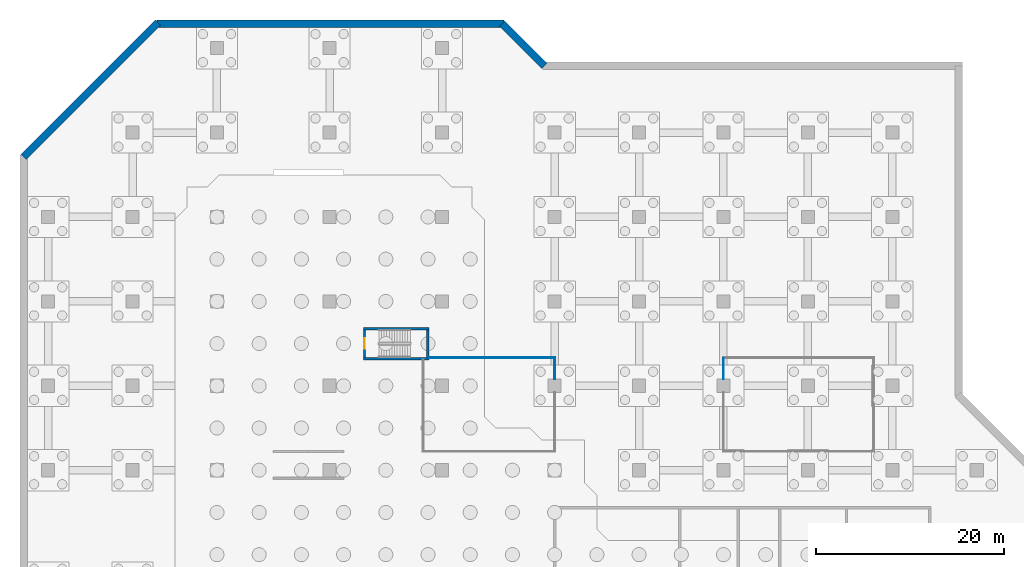
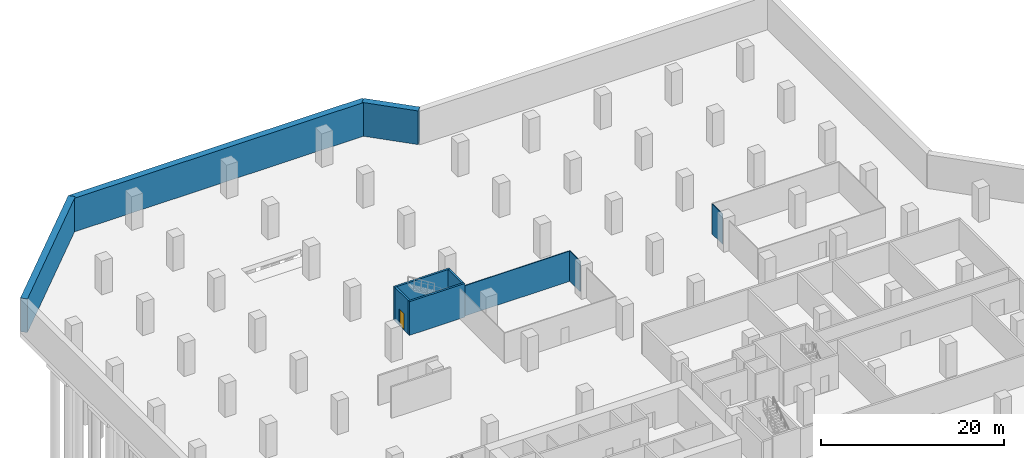
# One storey, part 10 of 13: 10 walls, 1 door, 1 opening.
"""IFC4 building model written with IfcOpenShell, lengths in metres."""

from ifc_helpers import new_model, si_unit, direction, frame, frame_2d, origin, place, context, subcontext, project, spatial, rectangle, extrude, material, layer, layer_set, type_object, element, fill, save


model = new_model("IFC4")

# Units and contexts
model_context = context("Model", 3, precision=1e-05, world=origin(), true_north=direction((0.0, 1.0)))
body_context = subcontext(model_context, "Body", "Model", "MODEL_VIEW")
ifc_project = project(units=[si_unit("LENGTHUNIT", "METRE"), si_unit("AREAUNIT", "SQUARE_METRE"), si_unit("VOLUMEUNIT", "CUBIC_METRE"), si_unit("PLANEANGLEUNIT", "RADIAN"), si_unit("MASSUNIT", "GRAM", prefix="KILO")], contexts=[model_context])

# Site, building, storey
site_placement = place(None, origin())
site = spatial("IfcSite", under=ifc_project, at=site_placement, CompositionType="ELEMENT")
building_placement = place(site_placement, origin())
building = spatial("IfcBuilding", under=site, at=building_placement, Name="Chenar Terraces", CompositionType="ELEMENT")
storey_placement = place(building_placement, frame((0.0, 0.0, -13.5)))
storey = spatial("IfcBuildingStorey", under=building, at=storey_placement, Name="B3", CompositionType="ELEMENT", Elevation=-13.5)

# Walls
ifc_material_1 = material(Name="Concrete C70/85", Category="concrete")
ifc_layer_1 = layer(ifc_material_1, 0.25)
ifc_layer_set_1 = layer_set([ifc_layer_1], Name="Concrete C70/85")
wall_type_1 = type_object("IfcWallType", Name="Core wall 250 Concrete C70/85", PredefinedType="SHEAR", material=ifc_layer_set_1)
for number, where, z_axis, x_axis, name in (
    (1, (15.60009765625, 47.89990234375, 0.0), (0.0, 0.0, 1.0), (1.0, 0.0, 0.0), "Core wall ST4_S B3"),
    (2, (15.60009765625, 51.10009765625, 0.0), (0.0, 0.0, 1.0), (1.0, 0.0, 0.0), "Core wall ST4_N B3"),
):
    element("IfcWall", number, at=place(storey_placement, frame(where, z_axis=z_axis, x_axis=x_axis)), inside=storey, type_object=wall_type_1, Name=name, PredefinedType="SHEAR", context=body_context, shape_type="SweptSolid", body=[
        extrude(rectangle(XDim=7.0, YDim=0.25, at=frame_2d((3.5, 0.0))), origin(), (0.0, 0.0, 1.0), 4.5),
    ])

# Wall, opening, door
wall_1_placement = place(storey_placement, frame((15.72509765625, 48.02490234375, 0.0), z_axis=(0.0, 0.0, 1.0), x_axis=(0.0, 1.0, 0.0)))
wall_1 = element("IfcWall", 3, at=wall_1_placement, inside=storey, type_object=wall_type_1, Name="Core wall ST4_W B3", PredefinedType="SHEAR", context=body_context, shape_type="SweptSolid", body=[
    extrude(rectangle(XDim=2.9501953125, YDim=0.25, at=frame_2d((1.47509765625, 0.0))), origin(), (0.0, 0.0, 1.0), 4.5),
])
opening_placement = place(wall_1_placement, frame((0.925048828125, 0.0, 0.0)))
opening = element("IfcOpeningElement", 4, at=opening_placement, cuts=wall_1, Name="Opening DB3-C9", PredefinedType="OPENING", context=body_context, shape_type="SweptSolid", body=[
    extrude(rectangle(XDim=1.10009765625, YDim=2.199951171875, at=frame_2d((0.550048828125, 1.10009765625))), frame((0.0, 0.135009765625, 0.0), z_axis=(0.0, -1.0, 0.0), x_axis=(1.0, 0.0, 0.0)), (0.0, 0.0, 1.0), 0.27001953125),
])
ifc_material_2 = material(Name="Steel-framed fire-resisting door leaf", Category="steel")
door_type = type_object("IfcDoorType", Name="Stair fire door FD60 1100 x 2200", OperationType="SINGLE_SWING_LEFT", PredefinedType="DOOR", material=ifc_material_2)
door_placement = place(opening_placement, origin())
door = element("IfcDoor", 5, at=door_placement, inside=storey, type_object=door_type, Name="Stair door DB3-C9", OperationType="SINGLE_SWING_RIGHT", OverallHeight=2.199951171875, OverallWidth=1.10009765625, PredefinedType="DOOR", context=body_context, shape_type="SweptSolid", body=[
    extrude(rectangle(XDim=1.10009765625, YDim=2.199951171875, at=frame_2d((0.550048828125, 1.10009765625))), frame((0.0, 0.02490234375, 0.0), z_axis=(0.0, -1.0, 0.0), x_axis=(1.0, 0.0, 0.0)), (0.0, 0.0, 1.0), 0.050048828125),
])
fill(opening, door)

# Walls
wall_2_placement = place(storey_placement, frame((22.47509765625, 48.02490234375, 0.0), z_axis=(0.0, 0.0, 1.0), x_axis=(0.0, 1.0, 0.0)))
element("IfcWall", 6, at=wall_2_placement, inside=storey, type_object=wall_type_1, Name="Core wall ST4_E B3", PredefinedType="SHEAR", context=body_context, shape_type="SweptSolid", body=[
    extrude(rectangle(XDim=2.9501953125, YDim=0.25, at=frame_2d((1.47509765625, 0.0))), origin(), (0.0, 0.0, 1.0), 4.5),
])
ifc_material_3 = material(Name="Concrete C40/50", Category="concrete")
ifc_layer_2 = layer(ifc_material_3, 0.800048828125)
ifc_layer_set_2 = layer_set([ifc_layer_2], Name="Concrete C40/50")
wall_type_2 = type_object("IfcWallType", Name="Diaphragm wall 800 Concrete C40/50", PredefinedType="SOLIDWALL", material=ifc_layer_set_2)
wall_3_placement = place(storey_placement, frame((34.91162109375, 79.10009765625, 0.0), z_axis=(0.0, 0.0, 1.0), x_axis=(-0.707106781187, 0.707106781187, 0.0)))
element("IfcWall", 7, at=wall_3_placement, inside=storey, type_object=wall_type_2, Name="Diaphragm wall B3 1", PredefinedType="SOLIDWALL", context=body_context, shape_type="SweptSolid", body=[
    extrude(rectangle(XDim=6.364013671875, YDim=0.800048828125, at=frame_2d((3.18212890625, 0.0))), origin(), (0.0, 0.0, 1.0), 4.5),
])
wall_4_placement = place(storey_placement, frame((30.5771484375, 83.60009765625, 0.0), z_axis=(0.0, 0.0, 1.0), x_axis=(-1.0, 0.0, 0.0)))
element("IfcWall", 8, at=wall_4_placement, inside=storey, type_object=wall_type_2, Name="Diaphragm wall B3 2", PredefinedType="SOLIDWALL", context=body_context, shape_type="SweptSolid", body=[
    extrude(rectangle(XDim=36.98876953125, YDim=0.800048828125, at=frame_2d((18.494384765625, 0.0))), origin(), (0.0, 0.0, 1.0), 4.5),
])
wall_5_placement = place(storey_placement, frame((-6.294189453125, 83.71728515625, 0.0), z_axis=(0.0, 0.0, 1.0), x_axis=(-0.707112814855, -0.707100747466, 0.0)))
element("IfcWall", 9, at=wall_5_placement, inside=storey, type_object=wall_type_2, Name="Diaphragm wall B3 3", PredefinedType="SOLIDWALL", context=body_context, shape_type="SweptSolid", body=[
    extrude(rectangle(XDim=20.2314453125, YDim=0.800048828125, at=frame_2d((10.11572265625, 0.0))), origin(), (0.0, 0.0, 1.0), 4.5),
])
ifc_material_4 = material(Name="Gypsum board on steel studs", Category="steel")
ifc_layer_3 = layer(ifc_material_4, 0.10009765625)
ifc_layer_set_3 = layer_set([ifc_layer_3], Name="Gypsum board on steel studs")
wall_type_3 = type_object("IfcWallType", Name="Gypsum partition 100", PredefinedType="PARTITIONING", material=ifc_layer_set_3)
wall_6_placement = place(storey_placement, frame((22.60009765625, 48.0, 0.0), z_axis=(0.0, 0.0, 1.0), x_axis=(1.0, 0.0, 0.0)))
element("IfcWall", 10, at=wall_6_placement, inside=storey, type_object=wall_type_3, Name="Partition B3-003", PredefinedType="PARTITIONING", context=body_context, shape_type="SweptSolid", body=[
    extrude(rectangle(XDim=13.449951171875, YDim=0.10009765625, at=frame_2d((6.72509765625, 0.0))), origin(), (0.0, 0.0, 1.0), 4.050048828125),
])
for number, where, z_axis, x_axis, name in (
    (11, (36.0, 45.698974609375, 0.0), (0.0, 0.0, 1.0), (0.0, 1.0, 0.0), "Partition B3-011"),
    (12, (54.0, 45.698974609375, 0.0), (0.0, 0.0, 1.0), (0.0, 1.0, 0.0), "Partition B3-023"),
):
    element("IfcWall", number, at=place(storey_placement, frame(where, z_axis=z_axis, x_axis=x_axis)), inside=storey, type_object=wall_type_3, Name=name, PredefinedType="PARTITIONING", context=body_context, shape_type="SweptSolid", body=[
        extrude(rectangle(XDim=2.2509765625, YDim=0.10009765625, at=frame_2d((1.12548828125, 0.0))), origin(), (0.0, 0.0, 1.0), 4.050048828125),
    ])

save(model, "model.ifc")
